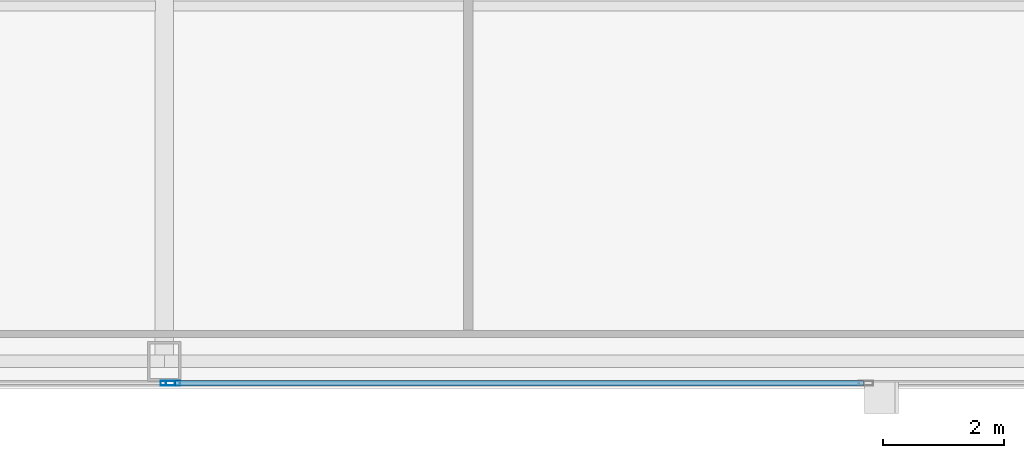
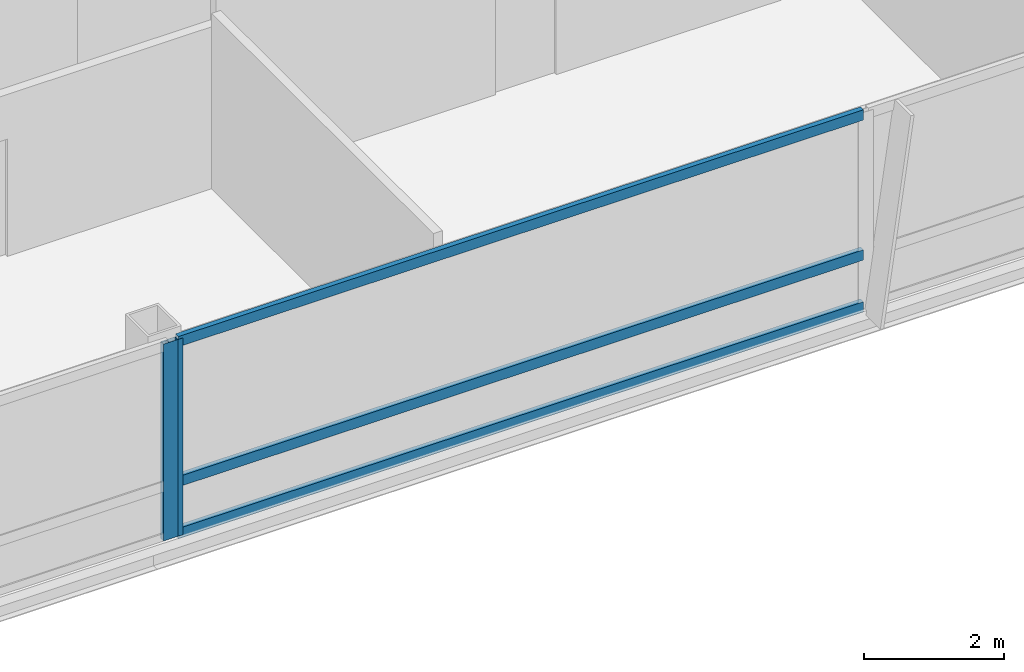
# One storey, part 7 of 29: 5 members, 2 elements without a shape of their own.
"""IFC4 building model written with IfcOpenShell, lengths in metres."""

from ifc_helpers import new_model, si_unit, direction, frame, origin, origin_2d, place, context, subcontext, project, spatial, hollow_rectangle, extrude, material, material_profile, profile_set, type_object, element, aggregate, save


model = new_model("IFC4")

# Units and contexts
model_context = context("Model", 3, precision=1e-05, world=origin(), true_north=direction((0.0, 1.0)))
body_context = subcontext(model_context, "Body", "Model", "MODEL_VIEW")
ifc_project = project(units=[si_unit("LENGTHUNIT", "METRE"), si_unit("AREAUNIT", "SQUARE_METRE"), si_unit("VOLUMEUNIT", "CUBIC_METRE"), si_unit("PLANEANGLEUNIT", "RADIAN"), si_unit("MASSUNIT", "GRAM", prefix="KILO")], contexts=[model_context])

# Site, building, storey
site_placement = place(None, origin())
site = spatial("IfcSite", under=ifc_project, at=site_placement, CompositionType="ELEMENT")
building_placement = place(site_placement, origin())
building = spatial("IfcBuilding", under=site, at=building_placement, Name="Khoronbel Lancet Exchange", CompositionType="ELEMENT")
storey_placement = place(building_placement, frame((0.0, 0.0, 318.199951171875)))
storey = spatial("IfcBuildingStorey", under=building, at=storey_placement, Name="L82", CompositionType="ELEMENT", Elevation=318.199951171875)

# Curtain wall, member
ifc_material_1 = material(Name="Low-E Solar Control Insulating Glass", Category="glass")
curtain_wall_type = type_object("IfcCurtainWallType", Name="CW-3", PredefinedType="NOTDEFINED", material=ifc_material_1)
curtain_wall_1_placement = place(storey_placement, origin())
curtain_wall_1 = element("IfcCurtainWall", 1, at=curtain_wall_1_placement, inside=storey, type_object=curtain_wall_type, Name="Unitised curtain wall CW-L82-SWB", PredefinedType="NOTDEFINED")
ifc_material_2 = material(Name="Bronze-Anodised Aluminium 6063-T6", Category="aluminium")
ifc_material_profile_1 = material_profile(ifc_material_2, hollow_rectangle(XDim=0.0849609375, YDim=0.239990234375, WallThickness=0.006103515625, at=origin_2d()), Name="ALU MULLION 85x240")
ifc_profile_set_1 = profile_set([ifc_material_profile_1], Name="Bronze-Anodised Aluminium 6063-T6")
member_type_1 = type_object("IfcMemberType", Name="MEM-CWM1", PredefinedType="MULLION", material=ifc_profile_set_1)
member_1_placement = place(storey_placement, frame((24.95751953125, 9.7900390625, 0.0), z_axis=(0.0, 0.0, 1.0), x_axis=(0.0, 1.0, 0.0)))
member_1 = element("IfcMember", 2, at=member_1_placement, type_object=member_type_1, Name="CW3 mullion 2", PredefinedType="MULLION", context=body_context, shape_type="SweptSolid", body=[
    extrude(hollow_rectangle(XDim=0.0849609375, YDim=0.239990234375, WallThickness=0.006103515625, at=origin_2d()), origin(), (0.0, 0.0, 1.0), 3.43994140625),
])
aggregate(curtain_wall_1, [member_1])

# Curtain wall, members
curtain_wall_2_placement = place(storey_placement, origin())
curtain_wall_2 = element("IfcCurtainWall", 3, at=curtain_wall_2_placement, inside=storey, type_object=curtain_wall_type, Name="Unitised curtain wall CW-L82-SCV", PredefinedType="NOTDEFINED")
member_2_placement = place(storey_placement, frame((25.04248046875, 9.7900390625, 0.0), z_axis=(0.0, 0.0, 1.0), x_axis=(0.0, 1.0, 0.0)))
member_2 = element("IfcMember", 4, at=member_2_placement, type_object=member_type_1, Name="CW3 mullion 1", PredefinedType="MULLION", context=body_context, shape_type="SweptSolid", body=[
    extrude(hollow_rectangle(XDim=0.0849609375, YDim=0.239990234375, WallThickness=0.006103515625, at=origin_2d()), origin(), (0.0, 0.0, 1.0), 3.43994140625),
])
ifc_material_profile_2 = material_profile(ifc_material_2, hollow_rectangle(XDim=0.0849609375, YDim=0.179931640625, WallThickness=0.0048828125, at=origin_2d()), Name="ALU TRANSOM 85x180")
ifc_profile_set_2 = profile_set([ifc_material_profile_2], Name="Bronze-Anodised Aluminium 6063-T6")
member_type_2 = type_object("IfcMemberType", Name="MEM-CWT1", PredefinedType="USERDEFINED", material=ifc_profile_set_2)
member_3_placement = place(storey_placement, frame((25.0849609375, 9.7900390625, 0.04248046875), z_axis=(1.0, 0.0, 0.0), x_axis=(0.0, 1.0, 0.0)))
member_3 = element("IfcMember", 5, at=member_3_placement, type_object=member_type_2, Name="CW3 transom 1.1", ObjectType="TRANSOM", PredefinedType="USERDEFINED", context=body_context, shape_type="SweptSolid", body=[
    extrude(hollow_rectangle(XDim=0.0849609375, YDim=0.179931640625, WallThickness=0.0048828125, at=origin_2d()), origin(), (0.0, 0.0, 1.0), 11.322509765625),
])
member_4_placement = place(storey_placement, frame((25.0849609375, 9.7900390625, 0.949951171875), z_axis=(1.0, 0.0, 0.0), x_axis=(0.0, 1.0, 0.0)))
member_4 = element("IfcMember", 6, at=member_4_placement, type_object=member_type_2, Name="CW3 transom 1.2", ObjectType="TRANSOM", PredefinedType="USERDEFINED", context=body_context, shape_type="SweptSolid", body=[
    extrude(hollow_rectangle(XDim=0.0849609375, YDim=0.179931640625, WallThickness=0.0048828125, at=origin_2d()), origin(), (0.0, 0.0, 1.0), 11.322509765625),
])
member_5_placement = place(storey_placement, frame((25.0849609375, 9.7900390625, 3.3974609375), z_axis=(1.0, 0.0, 0.0), x_axis=(0.0, 1.0, 0.0)))
member_5 = element("IfcMember", 7, at=member_5_placement, type_object=member_type_2, Name="CW3 transom 1.3", ObjectType="TRANSOM", PredefinedType="USERDEFINED", context=body_context, shape_type="SweptSolid", body=[
    extrude(hollow_rectangle(XDim=0.0849609375, YDim=0.179931640625, WallThickness=0.0048828125, at=origin_2d()), origin(), (0.0, 0.0, 1.0), 11.322509765625),
])
aggregate(curtain_wall_2, [member_2, member_3, member_4, member_5])

save(model, "model.ifc")
